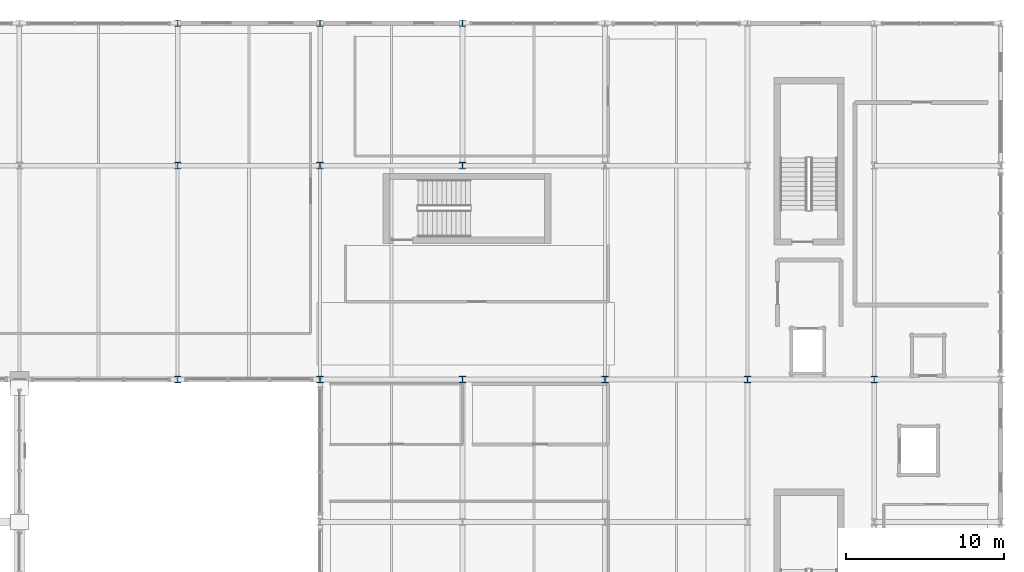
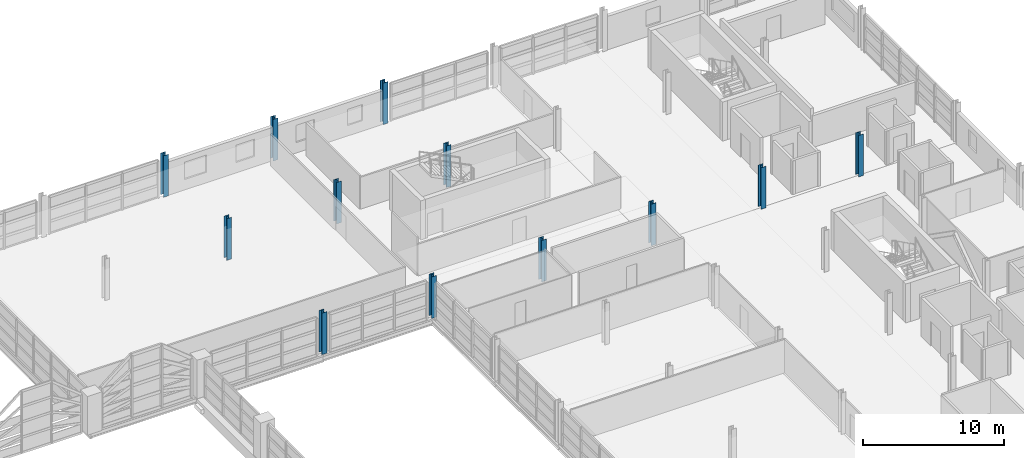
# One storey, part 17 of 116: 12 columns.
"""IFC4 building model written with IfcOpenShell, lengths in metres."""

from ifc_helpers import new_model, si_unit, direction, frame, origin, origin_2d, place, context, subcontext, project, spatial, i_section, extrude, material, material_profile, profile_set, type_object, element, save


model = new_model("IFC4")

# Units and contexts
model_context = context("Model", 3, precision=1e-05, world=origin(), true_north=direction((0.0, 1.0)))
body_context = subcontext(model_context, "Body", "Model", "MODEL_VIEW")
ifc_project = project(units=[si_unit("LENGTHUNIT", "METRE"), si_unit("AREAUNIT", "SQUARE_METRE"), si_unit("VOLUMEUNIT", "CUBIC_METRE"), si_unit("PLANEANGLEUNIT", "RADIAN"), si_unit("MASSUNIT", "GRAM", prefix="KILO")], contexts=[model_context])

# Site, building, storey
site_placement = place(None, origin())
site = spatial("IfcSite", under=ifc_project, at=site_placement, CompositionType="ELEMENT")
building_placement = place(site_placement, origin())
building = spatial("IfcBuilding", under=site, at=building_placement, Name="Chuanluo Vaults Station", CompositionType="ELEMENT")
storey_placement = place(building_placement, frame((0.0, 0.0, 10.800048828125)))
storey = spatial("IfcBuildingStorey", under=building, at=storey_placement, Name="L02", CompositionType="ELEMENT", Elevation=10.800048828125)

# Columns
ifc_material = material(Name="Steel Q355C", Category="steel")
ifc_material_profile = material_profile(ifc_material, i_section(OverallWidth=0.39990234375, OverallDepth=0.407958984375, WebThickness=0.02099609375, FlangeThickness=0.02099609375, FilletRadius=0.02197265625, at=origin_2d()))
ifc_profile_set = profile_set([ifc_material_profile], Name="Steel Q355C")
column_type = type_object("IfcColumnType", Name="COL-STL-HW408", PredefinedType="COLUMN", material=ifc_profile_set)
for number, where, z_axis, x_axis, name in (
    (1, (136.0, 103.5, 0.0), (0.0, 0.0, 1.0), (1.0, 0.0, 0.0), "Column L02-094"),
    (2, (136.0, 117.0, 0.0), (0.0, 0.0, 1.0), (1.0, 0.0, 0.0), "Column L02-095"),
    (3, (136.0, 126.0, 0.0), (0.0, 0.0, 1.0), (1.0, 0.0, 0.0), "Column L02-096"),
    (4, (145.0, 103.5, 0.0), (0.0, 0.0, 1.0), (1.0, 0.0, 0.0), "Column L02-107"),
    (5, (145.0, 117.0, 0.0), (0.0, 0.0, 1.0), (1.0, 0.0, 0.0), "Column L02-108"),
    (6, (145.0, 126.0, 0.0), (0.0, 0.0, 1.0), (1.0, 0.0, 0.0), "Column L02-109"),
    (7, (154.0, 103.5, 0.0), (0.0, 0.0, 1.0), (1.0, 0.0, 0.0), "Column L02-120"),
    (8, (154.0, 117.0, 0.0), (0.0, 0.0, 1.0), (1.0, 0.0, 0.0), "Column L02-121"),
    (9, (154.0, 126.0, 0.0), (0.0, 0.0, 1.0), (1.0, 0.0, 0.0), "Column L02-122"),
    (10, (163.0, 103.5, 0.0), (0.0, 0.0, 1.0), (1.0, 0.0, 0.0), "Column L02-133"),
    (11, (172.0, 103.5, 0.0), (0.0, 0.0, 1.0), (1.0, 0.0, 0.0), "Column L02-146"),
    (12, (180.0, 103.5, 0.0), (0.0, 0.0, 1.0), (1.0, 0.0, 0.0), "Column L02-159"),
):
    element("IfcColumn", number, at=place(storey_placement, frame(where, z_axis=z_axis, x_axis=x_axis)), inside=storey, type_object=column_type, Name=name, PredefinedType="COLUMN", context=body_context, shape_type="SweptSolid", body=[
        extrude(i_section(OverallWidth=0.39990234375, OverallDepth=0.407958984375, WebThickness=0.02099609375, FlangeThickness=0.02099609375, FilletRadius=0.02197265625, at=origin_2d()), origin(), (0.0, 0.0, 1.0), 3.599853515625),
    ])

save(model, "model.ifc")
